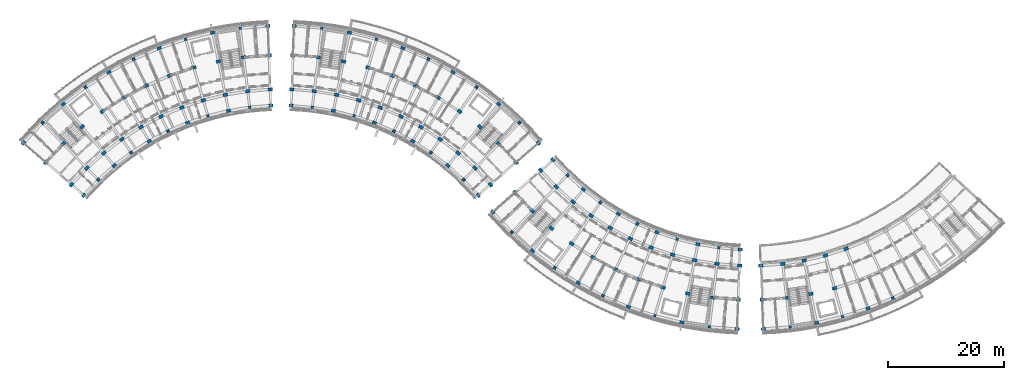
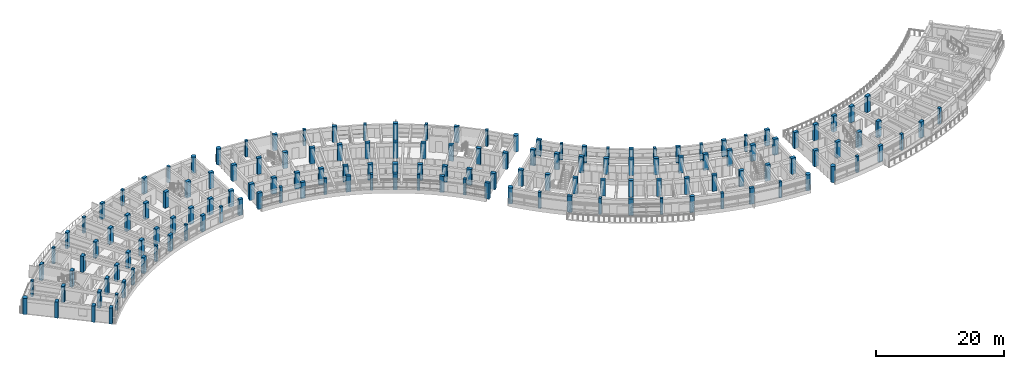
# One storey, part 1 of 54: 147 columns.
"""IFC4 building model written with IfcOpenShell, lengths in metres."""

from ifc_helpers import new_model, si_unit, direction, frame, origin, origin_2d, place, context, subcontext, project, spatial, rectangle, circle, extrude, material, material_profile, profile_set, type_object, element, save


model = new_model("IFC4")

# Units and contexts
model_context = context("Model", 3, precision=1e-05, world=origin(), true_north=direction((0.0, 1.0)))
body_context = subcontext(model_context, "Body", "Model", "MODEL_VIEW")
ifc_project = project(units=[si_unit("LENGTHUNIT", "METRE"), si_unit("AREAUNIT", "SQUARE_METRE"), si_unit("VOLUMEUNIT", "CUBIC_METRE"), si_unit("PLANEANGLEUNIT", "RADIAN"), si_unit("MASSUNIT", "GRAM", prefix="KILO")], contexts=[model_context])

# Site, building, storey
site_placement = place(None, origin())
site = spatial("IfcSite", under=ifc_project, at=site_placement, CompositionType="ELEMENT")
building_placement = place(site_placement, origin())
building = spatial("IfcBuilding", under=site, at=building_placement, Name="Zimvara Arc Housing Community", CompositionType="ELEMENT")
storey_placement = place(building_placement, frame((0.0, 0.0, 20.5)))
storey = spatial("IfcBuildingStorey", under=building, at=storey_placement, Name="L06", CompositionType="ELEMENT", Elevation=20.5)

# Columns
ifc_material_1 = material(Name="Concrete C40/50", Category="concrete")
ifc_material_profile_1 = material_profile(ifc_material_1, rectangle(XDim=0.449951171875, YDim=0.449951171875, at=origin_2d()), Name="RC 450x450")
ifc_profile_set_1 = profile_set([ifc_material_profile_1], Name="Concrete C40/50")
column_type_1 = type_object("IfcColumnType", Name="COL-RC-450x450", PredefinedType="COLUMN", material=ifc_profile_set_1)
for number, where, z_axis, x_axis, name in (
    (1, (13.476318359375, 76.781005859375, 0.0), (0.0, 0.0, 1.0), (-0.698665066769, 0.715448897181, 0.0), "col:blkA:L06:b1:r0"),
    (2, (3.862548828125, 86.625732421875, 0.0), (0.0, 0.0, 1.0), (-0.698665066769, 0.715448897181, 0.0), "col:blkA:L06:b1:r3"),
    (3, (19.14599609375, 81.478271484375, 0.0), (0.0, 0.0, 1.0), (-0.573004420611, 0.819552276527, 0.0), "col:blkA:L06:b3:r0"),
    (4, (11.261474609375, 92.755126953125, 0.0), (0.0, 0.0, 1.0), (-0.573004420611, 0.819552276527, 0.0), "col:blkA:L06:b3:r3"),
    (5, (25.50439453125, 85.190673828125, 0.0), (0.0, 0.0, 1.0), (-0.432085748802, 0.901832526405, 0.0), "col:blkA:L06:b5:r0"),
    (6, (19.558837890625, 97.599853515625, 0.0), (0.0, 0.0, 1.0), (-0.432085748802, 0.901832526405, 0.0), "col:blkA:L06:b5:r3"),
    (7, (32.381591796875, 87.819580078125, 0.0), (0.0, 0.0, 1.0), (-0.27966144946, 0.96009867914, 0.0), "col:blkA:L06:b7:r0"),
    (8, (28.533447265625, 101.030517578125, 0.0), (0.0, 0.0, 1.0), (-0.27966144946, 0.96009867914, 0.0), "col:blkA:L06:b7:r3"),
    (9, (39.594970703125, 89.295166015625, 0.0), (0.0, 0.0, 1.0), (-0.119790293837, 0.992799217114, 0.0), "col:blkA:L06:b9:r0"),
    (10, (37.94677734375, 102.9560546875, 0.0), (0.0, 0.0, 1.0), (-0.119790293837, 0.992799217114, 0.0), "col:blkA:L06:b9:r3"),
    (11, (50.405029296875, 89.295166015625, 0.0), (0.0, 0.0, 1.0), (0.119790293837, 0.992799217114, 0.0), "col:blkB:L06:b1:r0"),
    (12, (52.05322265625, 102.9560546875, 0.0), (0.0, 0.0, 1.0), (0.119790293837, 0.992799217114, 0.0), "col:blkB:L06:b1:r3"),
    (13, (57.618408203125, 87.819580078125, 0.0), (0.0, 0.0, 1.0), (0.27966144946, 0.96009867914, 0.0), "col:blkB:L06:b3:r0"),
    (14, (61.466552734375, 101.030517578125, 0.0), (0.0, 0.0, 1.0), (0.27966144946, 0.96009867914, 0.0), "col:blkB:L06:b3:r3"),
    (15, (64.49560546875, 85.190673828125, 0.0), (0.0, 0.0, 1.0), (0.432085748802, 0.901832526405, 0.0), "col:blkB:L06:b5:r0"),
    (16, (70.441162109375, 97.599853515625, 0.0), (0.0, 0.0, 1.0), (0.432085748802, 0.901832526405, 0.0), "col:blkB:L06:b5:r3"),
    (17, (70.85400390625, 81.478271484375, 0.0), (0.0, 0.0, 1.0), (0.573004420611, 0.819552276527, 0.0), "col:blkB:L06:b7:r0"),
    (18, (78.738525390625, 92.755126953125, 0.0), (0.0, 0.0, 1.0), (0.573004420611, 0.819552276527, 0.0), "col:blkB:L06:b7:r3"),
    (19, (76.523681640625, 76.781005859375, 0.0), (0.0, 0.0, 1.0), (0.698665066769, 0.715448897181, 0.0), "col:blkB:L06:b9:r0"),
    (20, (86.137451171875, 86.625732421875, 0.0), (0.0, 0.0, 1.0), (0.698665066769, 0.715448897181, 0.0), "col:blkB:L06:b9:r3"),
    (21, (94.456298828125, 77.578857421875, 0.0), (0.0, 0.0, 1.0), (-0.698665066769, -0.715448897181, 0.0), "col:blkC:L06:b1:r0"),
    (22, (84.842529296875, 67.734375, 0.0), (0.0, 0.0, 1.0), (-0.698665066769, -0.715448897181, 0.0), "col:blkC:L06:b1:r3"),
    (23, (100.1259765625, 72.8818359375, 0.0), (0.0, 0.0, 1.0), (-0.573004420611, -0.819552276527, 0.0), "col:blkC:L06:b3:r0"),
    (24, (92.241455078125, 61.604736328125, 0.0), (0.0, 0.0, 1.0), (-0.573004420611, -0.819552276527, 0.0), "col:blkC:L06:b3:r3"),
    (25, (106.484375, 69.16943359375, 0.0), (0.0, 0.0, 1.0), (-0.432085748802, -0.901832526405, 0.0), "col:blkC:L06:b5:r0"),
    (26, (100.538818359375, 56.760009765625, 0.0), (0.0, 0.0, 1.0), (-0.432085748802, -0.901832526405, 0.0), "col:blkC:L06:b5:r3"),
    (27, (113.361572265625, 66.540283203125, 0.0), (0.0, 0.0, 1.0), (-0.27966144946, -0.96009867914, 0.0), "col:blkC:L06:b7:r0"),
    (28, (109.513427734375, 53.329345703125, 0.0), (0.0, 0.0, 1.0), (-0.27966144946, -0.96009867914, 0.0), "col:blkC:L06:b7:r3"),
    (29, (120.574951171875, 65.06494140625, 0.0), (0.0, 0.0, 1.0), (-0.119790293837, -0.992799217114, 0.0), "col:blkC:L06:b9:r0"),
    (30, (118.9267578125, 51.404052734375, 0.0), (0.0, 0.0, 1.0), (-0.119790293837, -0.992799217114, 0.0), "col:blkC:L06:b9:r3"),
    (31, (132.849609375, 51.382080078125, 0.0), (0.0, 0.0, 1.0), (0.116670737099, -0.993170649538, 0.0), "col:blkD:L06:b1:r3"),
    (32, (141.912841796875, 53.1767578125, 0.0), (0.0, 0.0, 1.0), (0.270600445976, -0.962691746426, 0.0), "col:blkD:L06:b3:r3"),
    (33, (150.583984375, 56.366943359375, 0.0), (0.0, 0.0, 1.0), (0.417867073801, -0.908508177527, 0.0), "col:blkD:L06:b5:r3"),
):
    element("IfcColumn", number, at=place(storey_placement, frame(where, z_axis=z_axis, x_axis=x_axis)), inside=storey, type_object=column_type_1, Name=name, PredefinedType="COLUMN", context=body_context, shape_type="SweptSolid", body=[
        extrude(rectangle(XDim=0.449951171875, YDim=0.449951171875, at=origin_2d()), origin(), (0.0, 0.0, 1.0), 3.10009765625),
    ])
ifc_material_2 = material(Name="Concrete C40/50", Category="concrete")
ifc_material_profile_2 = material_profile(ifc_material_2, rectangle(XDim=0.5, YDim=0.75, at=origin_2d()), Name="RC 500x750")
ifc_profile_set_2 = profile_set([ifc_material_profile_2], Name="Concrete C40/50")
column_type_2 = type_object("IfcColumnType", Name="COL-RC-500x750", PredefinedType="COLUMN", material=ifc_profile_set_2)
for number, where, z_axis, x_axis, name in (
    (34, (10.947509765625, 74.101318359375, 0.0), (0.0, 0.0, 1.0), (-0.754709580223, 0.656059028991, 0.0), "col:blkA:L06:b0:r0"),
    (35, (16.215087890625, 79.245361328125, 0.0), (0.0, 0.0, 1.0), (-0.637961754089, 0.770068049148, 0.0), "col:blkA:L06:b2:r0"),
    (36, (7.436767578125, 89.841552734375, 0.0), (0.0, 0.0, 1.0), (-0.637961754089, 0.770068049148, 0.0), "col:blkA:L06:b2:r3"),
    (37, (22.249267578125, 83.46435546875, 0.0), (0.0, 0.0, 1.0), (-0.504226211181, 0.863571611366, 0.0), "col:blkA:L06:b4:r0"),
    (38, (15.311279296875, 95.34716796875, 0.0), (0.0, 0.0, 1.0), (-0.504226211181, 0.863571611366, 0.0), "col:blkA:L06:b4:r3"),
    (39, (28.88916015625, 86.645751953125, 0.0), (0.0, 0.0, 1.0), (-0.357064076459, 0.934079892355, 0.0), "col:blkA:L06:b6:r0"),
    (40, (23.97607421875, 99.49853515625, 0.0), (0.0, 0.0, 1.0), (-0.357064076459, 0.934079892355, 0.0), "col:blkA:L06:b6:r3"),
    (41, (35.958251953125, 88.704833984375, 0.0), (0.0, 0.0, 1.0), (-0.200393999665, 0.979715389742, 0.0), "col:blkA:L06:b8:r0"),
    (42, (33.20068359375, 102.185546875, 0.0), (0.0, 0.0, 1.0), (-0.200393999665, 0.979715389742, 0.0), "col:blkA:L06:b8:r3"),
    (43, (43.267822265625, 89.586669921875, 0.0), (0.0, 0.0, 1.0), (-0.038387809088, 0.999262916411, 0.0), "col:blkA:L06:b10:r0"),
    (44, (46.732177734375, 89.586669921875, 0.0), (0.0, 0.0, 1.0), (0.038387809088, 0.999262916411, 0.0), "col:blkB:L06:b0:r0"),
    (45, (54.041748046875, 88.704833984375, 0.0), (0.0, 0.0, 1.0), (0.200393999665, 0.979715389742, 0.0), "col:blkB:L06:b2:r0"),
    (46, (56.79931640625, 102.185546875, 0.0), (0.0, 0.0, 1.0), (0.200393999665, 0.979715389742, 0.0), "col:blkB:L06:b2:r3"),
    (47, (61.11083984375, 86.645751953125, 0.0), (0.0, 0.0, 1.0), (0.357064076459, 0.934079892355, 0.0), "col:blkB:L06:b4:r0"),
    (48, (66.02392578125, 99.49853515625, 0.0), (0.0, 0.0, 1.0), (0.357064076459, 0.934079892355, 0.0), "col:blkB:L06:b4:r3"),
    (49, (67.750732421875, 83.46435546875, 0.0), (0.0, 0.0, 1.0), (0.504226211181, 0.863571611366, 0.0), "col:blkB:L06:b6:r0"),
    (50, (74.688720703125, 95.34716796875, 0.0), (0.0, 0.0, 1.0), (0.504226211181, 0.863571611366, 0.0), "col:blkB:L06:b6:r3"),
    (51, (73.784912109375, 79.245361328125, 0.0), (0.0, 0.0, 1.0), (0.637961754089, 0.770068049148, 0.0), "col:blkB:L06:b8:r0"),
    (52, (82.563232421875, 89.841552734375, 0.0), (0.0, 0.0, 1.0), (0.637961754089, 0.770068049148, 0.0), "col:blkB:L06:b8:r3"),
    (53, (79.052490234375, 74.101318359375, 0.0), (0.0, 0.0, 1.0), (0.754709580223, 0.656059028991, 0.0), "col:blkB:L06:b10:r0"),
    (54, (91.927490234375, 80.258544921875, 0.0), (0.0, 0.0, 1.0), (-0.754709580223, -0.656059028991, 0.0), "col:blkC:L06:b0:r0"),
    (55, (97.195068359375, 75.114501953125, 0.0), (0.0, 0.0, 1.0), (-0.637961754089, -0.770068049148, 0.0), "col:blkC:L06:b2:r0"),
    (56, (88.416748046875, 64.518310546875, 0.0), (0.0, 0.0, 1.0), (-0.637961754089, -0.770068049148, 0.0), "col:blkC:L06:b2:r3"),
    (57, (103.229248046875, 70.895751953125, 0.0), (0.0, 0.0, 1.0), (-0.504226211181, -0.863571611366, 0.0), "col:blkC:L06:b4:r0"),
    (58, (96.291259765625, 59.012939453125, 0.0), (0.0, 0.0, 1.0), (-0.504226211181, -0.863571611366, 0.0), "col:blkC:L06:b4:r3"),
    (59, (109.869384765625, 67.71435546875, 0.0), (0.0, 0.0, 1.0), (-0.357064076459, -0.934079892355, 0.0), "col:blkC:L06:b6:r0"),
    (60, (104.9560546875, 54.861328125, 0.0), (0.0, 0.0, 1.0), (-0.357064076459, -0.934079892355, 0.0), "col:blkC:L06:b6:r3"),
    (61, (116.938232421875, 65.6552734375, 0.0), (0.0, 0.0, 1.0), (-0.200393999665, -0.979715389742, 0.0), "col:blkC:L06:b8:r0"),
    (62, (114.180908203125, 52.17431640625, 0.0), (0.0, 0.0, 1.0), (-0.200393999665, -0.979715389742, 0.0), "col:blkC:L06:b8:r3"),
    (63, (124.248046875, 64.773193359375, 0.0), (0.0, 0.0, 1.0), (-0.038387809088, -0.999262916411, 0.0), "col:blkC:L06:b10:r0"),
    (64, (137.41650390625, 52.101318359375, 0.0), (0.0, 0.0, 1.0), (0.19423435122, -0.980955155349, 0.0), "col:blkD:L06:b2:r3"),
    (65, (146.311279296875, 54.6015625, 0.0), (0.0, 0.0, 1.0), (0.345298198999, -0.93849302276, 0.0), "col:blkD:L06:b4:r3"),
):
    element("IfcColumn", number, at=place(storey_placement, frame(where, z_axis=z_axis, x_axis=x_axis)), inside=storey, type_object=column_type_2, Name=name, PredefinedType="COLUMN", context=body_context, shape_type="SweptSolid", body=[
        extrude(rectangle(XDim=0.5, YDim=0.75, at=origin_2d()), origin(), (0.0, 0.0, 1.0), 3.10009765625),
    ])
ifc_material_3 = material(Name="Concrete C40/50", Category="concrete")
ifc_material_profile_3 = material_profile(ifc_material_3, rectangle(XDim=0.550048828125, YDim=0.800048828125, at=origin_2d()), Name="RC 550x800")
ifc_profile_set_3 = profile_set([ifc_material_profile_3], Name="Concrete C40/50")
column_type_3 = type_object("IfcColumnType", Name="COL-RC-550x800", PredefinedType="COLUMN", material=ifc_profile_set_3)
for number, where, z_axis, x_axis, name in (
    (66, (8.834228515625, 75.938232421875, 0.0), (0.0, 0.0, 1.0), (-0.754709580223, 0.656059028991, 0.0), "col:blkA:L06:b0:r1"),
    (67, (4.396728515625, 79.7958984375, 0.0), (0.0, 0.0, 1.0), (-0.754709580223, 0.656059028991, 0.0), "col:blkA:L06:b0:r2"),
    (68, (11.52001953125, 78.784423828125, 0.0), (0.0, 0.0, 1.0), (-0.698665066769, 0.715448897181, 0.0), "col:blkA:L06:b1:r1"),
    (69, (7.411865234375, 82.9912109375, 0.0), (0.0, 0.0, 1.0), (-0.698665066769, 0.715448897181, 0.0), "col:blkA:L06:b1:r2"),
    (70, (14.428955078125, 81.401611328125, 0.0), (0.0, 0.0, 1.0), (-0.637961754089, 0.770068049148, 0.0), "col:blkA:L06:b2:r1"),
    (71, (10.677734375, 85.9296875, 0.0), (0.0, 0.0, 1.0), (-0.637961754089, 0.770068049148, 0.0), "col:blkA:L06:b2:r2"),
    (72, (17.541748046875, 83.77294921875, 0.0), (0.0, 0.0, 1.0), (-0.573004420611, 0.819552276527, 0.0), "col:blkA:L06:b3:r1"),
    (73, (14.17236328125, 88.591796875, 0.0), (0.0, 0.0, 1.0), (-0.573004420611, 0.819552276527, 0.0), "col:blkA:L06:b3:r2"),
    (74, (20.83740234375, 85.88232421875, 0.0), (0.0, 0.0, 1.0), (-0.504226211181, 0.863571611366, 0.0), "col:blkA:L06:b4:r1"),
    (75, (17.87255859375, 90.960205078125, 0.0), (0.0, 0.0, 1.0), (-0.504226211181, 0.863571611366, 0.0), "col:blkA:L06:b4:r2"),
    (76, (24.29443359375, 87.7158203125, 0.0), (0.0, 0.0, 1.0), (-0.432085748802, 0.901832526405, 0.0), "col:blkA:L06:b5:r1"),
    (77, (21.75390625, 93.0185546875, 0.0), (0.0, 0.0, 1.0), (-0.432085748802, 0.901832526405, 0.0), "col:blkA:L06:b5:r2"),
    (78, (27.889404296875, 89.260986328125, 0.0), (0.0, 0.0, 1.0), (-0.357064076459, 0.934079892355, 0.0), "col:blkA:L06:b6:r1"),
    (79, (25.7900390625, 94.75341796875, 0.0), (0.0, 0.0, 1.0), (-0.357064076459, 0.934079892355, 0.0), "col:blkA:L06:b6:r2"),
    (80, (31.5986328125, 90.5078125, 0.0), (0.0, 0.0, 1.0), (-0.27966144946, 0.96009867914, 0.0), "col:blkA:L06:b7:r1"),
    (81, (29.9541015625, 96.1533203125, 0.0), (0.0, 0.0, 1.0), (-0.27966144946, 0.96009867914, 0.0), "col:blkA:L06:b7:r2"),
    (82, (35.397216796875, 91.447998046875, 0.0), (0.0, 0.0, 1.0), (-0.200393999665, 0.979715389742, 0.0), "col:blkA:L06:b8:r1"),
    (83, (34.21875, 97.208740234375, 0.0), (0.0, 0.0, 1.0), (-0.200393999665, 0.979715389742, 0.0), "col:blkA:L06:b8:r2"),
    (84, (39.259765625, 92.074951171875, 0.0), (0.0, 0.0, 1.0), (-0.119790293837, 0.992799217114, 0.0), "col:blkA:L06:b9:r1"),
    (85, (38.55517578125, 97.91259765625, 0.0), (0.0, 0.0, 1.0), (-0.119790293837, 0.992799217114, 0.0), "col:blkA:L06:b9:r2"),
    (86, (43.160400390625, 92.384765625, 0.0), (0.0, 0.0, 1.0), (-0.038387809088, 0.999262916411, 0.0), "col:blkA:L06:b10:r1"),
    (87, (42.934814453125, 98.26025390625, 0.0), (0.0, 0.0, 1.0), (-0.038387809088, 0.999262916411, 0.0), "col:blkA:L06:b10:r2"),
    (88, (46.839599609375, 92.384765625, 0.0), (0.0, 0.0, 1.0), (0.038387809088, 0.999262916411, 0.0), "col:blkB:L06:b0:r1"),
    (89, (47.065185546875, 98.26025390625, 0.0), (0.0, 0.0, 1.0), (0.038387809088, 0.999262916411, 0.0), "col:blkB:L06:b0:r2"),
    (90, (50.740234375, 92.074951171875, 0.0), (0.0, 0.0, 1.0), (0.119790293837, 0.992799217114, 0.0), "col:blkB:L06:b1:r1"),
    (91, (51.44482421875, 97.91259765625, 0.0), (0.0, 0.0, 1.0), (0.119790293837, 0.992799217114, 0.0), "col:blkB:L06:b1:r2"),
    (92, (54.602783203125, 91.447998046875, 0.0), (0.0, 0.0, 1.0), (0.200393999665, 0.979715389742, 0.0), "col:blkB:L06:b2:r1"),
    (93, (55.78125, 97.208740234375, 0.0), (0.0, 0.0, 1.0), (0.200393999665, 0.979715389742, 0.0), "col:blkB:L06:b2:r2"),
    (94, (58.4013671875, 90.5078125, 0.0), (0.0, 0.0, 1.0), (0.27966144946, 0.96009867914, 0.0), "col:blkB:L06:b3:r1"),
    (95, (60.0458984375, 96.1533203125, 0.0), (0.0, 0.0, 1.0), (0.27966144946, 0.96009867914, 0.0), "col:blkB:L06:b3:r2"),
    (96, (62.110595703125, 89.260986328125, 0.0), (0.0, 0.0, 1.0), (0.357064076459, 0.934079892355, 0.0), "col:blkB:L06:b4:r1"),
    (97, (64.2099609375, 94.75341796875, 0.0), (0.0, 0.0, 1.0), (0.357064076459, 0.934079892355, 0.0), "col:blkB:L06:b4:r2"),
    (98, (65.70556640625, 87.7158203125, 0.0), (0.0, 0.0, 1.0), (0.432085748802, 0.901832526405, 0.0), "col:blkB:L06:b5:r1"),
    (99, (68.24609375, 93.0185546875, 0.0), (0.0, 0.0, 1.0), (0.432085748802, 0.901832526405, 0.0), "col:blkB:L06:b5:r2"),
    (100, (69.16259765625, 85.88232421875, 0.0), (0.0, 0.0, 1.0), (0.504226211181, 0.863571611366, 0.0), "col:blkB:L06:b6:r1"),
    (101, (72.12744140625, 90.960205078125, 0.0), (0.0, 0.0, 1.0), (0.504226211181, 0.863571611366, 0.0), "col:blkB:L06:b6:r2"),
    (102, (72.458251953125, 83.77294921875, 0.0), (0.0, 0.0, 1.0), (0.573004420611, 0.819552276527, 0.0), "col:blkB:L06:b7:r1"),
    (103, (75.82763671875, 88.591796875, 0.0), (0.0, 0.0, 1.0), (0.573004420611, 0.819552276527, 0.0), "col:blkB:L06:b7:r2"),
    (104, (75.571044921875, 81.401611328125, 0.0), (0.0, 0.0, 1.0), (0.637961754089, 0.770068049148, 0.0), "col:blkB:L06:b8:r1"),
    (105, (79.322265625, 85.9296875, 0.0), (0.0, 0.0, 1.0), (0.637961754089, 0.770068049148, 0.0), "col:blkB:L06:b8:r2"),
    (106, (78.47998046875, 78.784423828125, 0.0), (0.0, 0.0, 1.0), (0.698665066769, 0.715448897181, 0.0), "col:blkB:L06:b9:r1"),
    (107, (82.588134765625, 82.9912109375, 0.0), (0.0, 0.0, 1.0), (0.698665066769, 0.715448897181, 0.0), "col:blkB:L06:b9:r2"),
    (108, (81.165771484375, 75.938232421875, 0.0), (0.0, 0.0, 1.0), (0.754709580223, 0.656059028991, 0.0), "col:blkB:L06:b10:r1"),
    (109, (85.603271484375, 79.7958984375, 0.0), (0.0, 0.0, 1.0), (0.754709580223, 0.656059028991, 0.0), "col:blkB:L06:b10:r2"),
    (110, (89.814208984375, 78.421630859375, 0.0), (0.0, 0.0, 1.0), (-0.754709580223, -0.656059028991, 0.0), "col:blkC:L06:b0:r1"),
    (111, (85.376708984375, 74.56396484375, 0.0), (0.0, 0.0, 1.0), (-0.754709580223, -0.656059028991, 0.0), "col:blkC:L06:b0:r2"),
    (112, (92.5, 75.57568359375, 0.0), (0.0, 0.0, 1.0), (-0.698665066769, -0.715448897181, 0.0), "col:blkC:L06:b1:r1"),
    (113, (88.391845703125, 71.368896484375, 0.0), (0.0, 0.0, 1.0), (-0.698665066769, -0.715448897181, 0.0), "col:blkC:L06:b1:r2"),
    (114, (95.408935546875, 72.958251953125, 0.0), (0.0, 0.0, 1.0), (-0.637961754089, -0.770068049148, 0.0), "col:blkC:L06:b2:r1"),
    (115, (91.65771484375, 68.430419921875, 0.0), (0.0, 0.0, 1.0), (-0.637961754089, -0.770068049148, 0.0), "col:blkC:L06:b2:r2"),
    (116, (98.521728515625, 70.587158203125, 0.0), (0.0, 0.0, 1.0), (-0.573004420611, -0.819552276527, 0.0), "col:blkC:L06:b3:r1"),
    (117, (95.15234375, 65.76806640625, 0.0), (0.0, 0.0, 1.0), (-0.573004420611, -0.819552276527, 0.0), "col:blkC:L06:b3:r2"),
    (118, (101.8173828125, 68.4775390625, 0.0), (0.0, 0.0, 1.0), (-0.504226211181, -0.863571611366, 0.0), "col:blkC:L06:b4:r1"),
    (119, (98.8525390625, 63.39990234375, 0.0), (0.0, 0.0, 1.0), (-0.504226211181, -0.863571611366, 0.0), "col:blkC:L06:b4:r2"),
    (120, (105.2744140625, 66.644287109375, 0.0), (0.0, 0.0, 1.0), (-0.432085748802, -0.901832526405, 0.0), "col:blkC:L06:b5:r1"),
    (121, (102.73388671875, 61.34130859375, 0.0), (0.0, 0.0, 1.0), (-0.432085748802, -0.901832526405, 0.0), "col:blkC:L06:b5:r2"),
    (122, (108.869384765625, 65.098876953125, 0.0), (0.0, 0.0, 1.0), (-0.357064076459, -0.934079892355, 0.0), "col:blkC:L06:b6:r1"),
    (123, (106.77001953125, 59.6064453125, 0.0), (0.0, 0.0, 1.0), (-0.357064076459, -0.934079892355, 0.0), "col:blkC:L06:b6:r2"),
    (124, (112.57861328125, 63.85205078125, 0.0), (0.0, 0.0, 1.0), (-0.27966144946, -0.96009867914, 0.0), "col:blkC:L06:b7:r1"),
    (125, (110.934326171875, 58.206787109375, 0.0), (0.0, 0.0, 1.0), (-0.27966144946, -0.96009867914, 0.0), "col:blkC:L06:b7:r2"),
    (126, (116.377197265625, 62.912109375, 0.0), (0.0, 0.0, 1.0), (-0.200393999665, -0.979715389742, 0.0), "col:blkC:L06:b8:r1"),
    (127, (115.19873046875, 57.1513671875, 0.0), (0.0, 0.0, 1.0), (-0.200393999665, -0.979715389742, 0.0), "col:blkC:L06:b8:r2"),
    (128, (120.23974609375, 62.28515625, 0.0), (0.0, 0.0, 1.0), (-0.119790293837, -0.992799217114, 0.0), "col:blkC:L06:b9:r1"),
    (129, (119.535400390625, 56.447509765625, 0.0), (0.0, 0.0, 1.0), (-0.119790293837, -0.992799217114, 0.0), "col:blkC:L06:b9:r2"),
    (130, (124.140380859375, 61.975341796875, 0.0), (0.0, 0.0, 1.0), (-0.038387809088, -0.999262916411, 0.0), "col:blkC:L06:b10:r1"),
    (131, (123.914794921875, 56.099609375, 0.0), (0.0, 0.0, 1.0), (-0.038387809088, -0.999262916411, 0.0), "col:blkC:L06:b10:r2"),
    (132, (127.819580078125, 61.975341796875, 0.0), (0.0, 0.0, 1.0), (0.038387809088, -0.999262916411, 0.0), "col:blkD:L06:b0:r1"),
    (133, (128.045166015625, 56.099609375, 0.0), (0.0, 0.0, 1.0), (0.038387809088, -0.999262916411, 0.0), "col:blkD:L06:b0:r2"),
    (134, (131.57080078125, 62.267333984375, 0.0), (0.0, 0.0, 1.0), (0.116670737099, -0.993170649538, 0.0), "col:blkD:L06:b1:r1"),
    (135, (132.2568359375, 56.427490234375, 0.0), (0.0, 0.0, 1.0), (0.116670737099, -0.993170649538, 0.0), "col:blkD:L06:b1:r2"),
    (136, (135.28759765625, 62.8525390625, 0.0), (0.0, 0.0, 1.0), (0.19423435122, -0.980955155349, 0.0), "col:blkD:L06:b2:r1"),
    (137, (136.4296875, 57.084716796875, 0.0), (0.0, 0.0, 1.0), (0.19423435122, -0.980955155349, 0.0), "col:blkD:L06:b2:r2"),
    (138, (138.947265625, 63.727783203125, 0.0), (0.0, 0.0, 1.0), (0.270600445976, -0.962691746426, 0.0), "col:blkD:L06:b3:r1"),
    (139, (140.538330078125, 58.067138671875, 0.0), (0.0, 0.0, 1.0), (0.270600445976, -0.962691746426, 0.0), "col:blkD:L06:b3:r2"),
    (140, (142.526611328125, 64.887451171875, 0.0), (0.0, 0.0, 1.0), (0.345298198999, -0.93849302276, 0.0), "col:blkD:L06:b4:r1"),
):
    element("IfcColumn", number, at=place(storey_placement, frame(where, z_axis=z_axis, x_axis=x_axis)), inside=storey, type_object=column_type_3, Name=name, PredefinedType="COLUMN", context=body_context, shape_type="SweptSolid", body=[
        extrude(rectangle(XDim=0.550048828125, YDim=0.800048828125, at=origin_2d()), origin(), (0.0, 0.0, 1.0), 3.10009765625),
    ])
ifc_material_4 = material(Name="Concrete C40/50", Category="concrete")
ifc_material_profile_4 = material_profile(ifc_material_4, circle(Radius=0.39990234375, at=origin_2d()), Name="RC D800")
ifc_profile_set_4 = profile_set([ifc_material_profile_4], Name="Concrete C40/50")
column_type_4 = type_object("IfcColumnType", Name="COL-RC-D700", PredefinedType="COLUMN", material=ifc_profile_set_4)
for number, where, z_axis, x_axis, name in (
    (141, (0.562744140625, 83.128662109375, 0.0), (0.0, 0.0, 1.0), (-0.754709580223, 0.656059028991, 0.0), "col:blkA:L06:b0:r3"),
    (142, (42.73974609375, 103.336669921875, 0.0), (0.0, 0.0, 1.0), (-0.038387809088, 0.999262916411, 0.0), "col:blkA:L06:b10:r3"),
    (143, (47.26025390625, 103.336669921875, 0.0), (0.0, 0.0, 1.0), (0.038387809088, 0.999262916411, 0.0), "col:blkB:L06:b0:r3"),
    (144, (89.437255859375, 83.128662109375, 0.0), (0.0, 0.0, 1.0), (0.754709580223, 0.656059028991, 0.0), "col:blkB:L06:b10:r3"),
    (145, (81.542724609375, 71.231201171875, 0.0), (0.0, 0.0, 1.0), (-0.754709580223, -0.656059028991, 0.0), "col:blkC:L06:b0:r3"),
    (146, (123.7197265625, 51.0234375, 0.0), (0.0, 0.0, 1.0), (-0.038387809088, -0.999262916411, 0.0), "col:blkC:L06:b10:r3"),
    (147, (128.240234375, 51.0234375, 0.0), (0.0, 0.0, 1.0), (0.038387809088, -0.999262916411, 0.0), "col:blkD:L06:b0:r3"),
):
    element("IfcColumn", number, at=place(storey_placement, frame(where, z_axis=z_axis, x_axis=x_axis)), inside=storey, type_object=column_type_4, Name=name, PredefinedType="COLUMN", context=body_context, shape_type="SweptSolid", body=[
        extrude(circle(Radius=0.39990234375, at=origin_2d()), origin(), (0.0, 0.0, 1.0), 3.10009765625),
    ])

save(model, "model.ifc")
